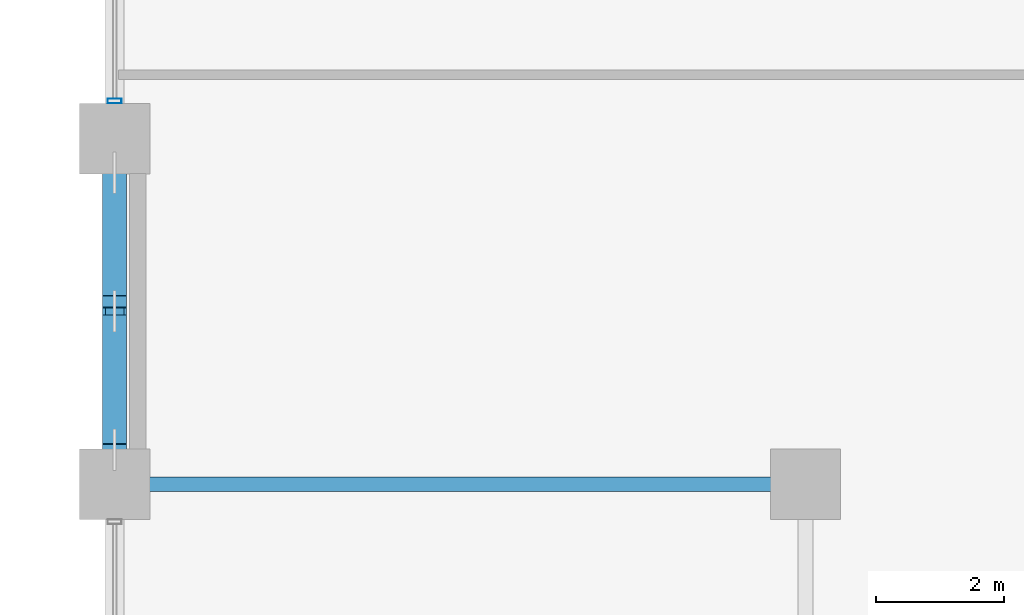
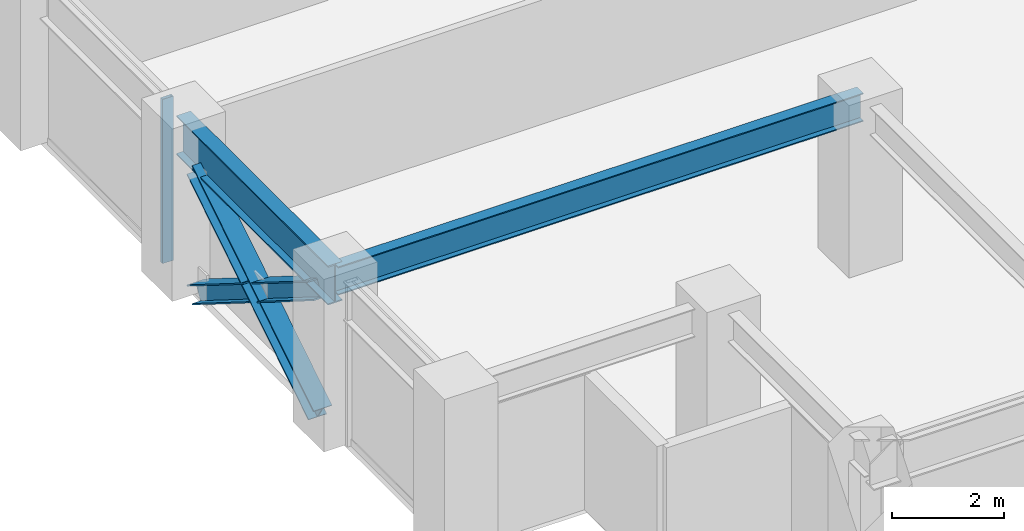
# One storey, part 3 of 25: 4 members, 2 beams, 1 element without a shape of its own.
"""IFC4 building model written with IfcOpenShell, lengths in metres."""

from ifc_helpers import new_model, si_unit, direction, frame, origin, origin_2d, place, context, subcontext, project, spatial, hollow_rectangle, i_section, extrude, material, layer, layer_set, material_profile, profile_set, type_object, element, aggregate, save


model = new_model("IFC4")

# Units and contexts
model_context = context("Model", 3, precision=1e-05, world=origin(), true_north=direction((0.0, 1.0)))
body_context = subcontext(model_context, "Body", "Model", "MODEL_VIEW")
ifc_project = project(units=[si_unit("LENGTHUNIT", "METRE"), si_unit("AREAUNIT", "SQUARE_METRE"), si_unit("VOLUMEUNIT", "CUBIC_METRE"), si_unit("PLANEANGLEUNIT", "RADIAN"), si_unit("MASSUNIT", "GRAM", prefix="KILO")], contexts=[model_context])

# Site, building, storey
site_placement = place(None, origin())
site = spatial("IfcSite", under=ifc_project, at=site_placement, CompositionType="ELEMENT")
building_placement = place(site_placement, origin())
building = spatial("IfcBuilding", under=site, at=building_placement, Name="Surkhivell Harbour Commons", CompositionType="ELEMENT")
storey_placement = place(building_placement, frame((0.0, 0.0, 98.25)))
storey = spatial("IfcBuildingStorey", under=building, at=storey_placement, Name="L25", CompositionType="ELEMENT", Elevation=98.25)

# Beams
ifc_material_1 = material(Name="Steel S355", Category="steel")
ifc_material_profile_1 = material_profile(ifc_material_1, i_section(OverallWidth=0.22998046875, OverallDepth=0.616943359375, WebThickness=0.01318359375, FlangeThickness=0.022216796875, at=origin_2d()), Name="UB610x229x140")
ifc_profile_set_1 = profile_set([ifc_material_profile_1], Name="Steel S355")
beam_type_1 = type_object("IfcBeamType", Name="BM-GRD-610B", PredefinedType="BEAM", material=ifc_profile_set_1)
beam_1_placement = place(storey_placement, frame((-32.39990234375, -16.199951171875, 3.261474609375), z_axis=(1.0, 0.0, 0.0), x_axis=(0.0, 1.0, 0.0)))
element("IfcBeam", 1, at=beam_1_placement, inside=storey, type_object=beam_type_1, Name="L25 Floor Girder (-32.4,-16.2)", PredefinedType="BEAM", context=body_context, shape_type="SweptSolid", body=[
    extrude(i_section(OverallWidth=0.22998046875, OverallDepth=0.616943359375, WebThickness=0.01318359375, FlangeThickness=0.022216796875, at=origin_2d()), origin(), (0.0, 0.0, 1.0), 10.7998046875),
])
ifc_material_2 = material(Name="Steel S460", Category="steel")
ifc_material_profile_2 = material_profile(ifc_material_2, i_section(OverallWidth=0.2939453125, OverallDepth=0.85107421875, WebThickness=0.01611328125, FlangeThickness=0.02685546875, at=origin_2d()), Name="UB838x292x226")
ifc_profile_set_2 = profile_set([ifc_material_profile_2], Name="Steel S460")
beam_type_2 = type_object("IfcBeamType", Name="BM-SPN-838", PredefinedType="SPANDREL", material=ifc_profile_set_2)
beam_2_placement = place(storey_placement, frame((-32.39990234375, -16.199951171875, 3.14453125), z_axis=(0.0, 1.0, 0.0), x_axis=(-1.0, 0.0, 0.0)))
element("IfcBeam", 2, at=beam_2_placement, inside=storey, type_object=beam_type_2, Name="L25 Tube Spandrel (-32.4,-16.2)", PredefinedType="SPANDREL", context=body_context, shape_type="SweptSolid", body=[
    extrude(i_section(OverallWidth=0.2939453125, OverallDepth=0.85107421875, WebThickness=0.01611328125, FlangeThickness=0.02685546875, at=origin_2d()), origin(), (0.0, 0.0, 1.0), 5.39990234375),
])

# Curtain wall, member
ifc_material_3 = material(Name="Anodised pale-metal aluminium and insulated glazing", Category="aluminium")
ifc_layer = layer(ifc_material_3, 0.205078125)
ifc_layer_set = layer_set([ifc_layer], Name="Anodised pale-metal aluminium and insulated glazing")
curtain_wall_type = type_object("IfcCurtainWallType", Name="CW-SYS-Z2", PredefinedType="NOTDEFINED", material=ifc_layer_set)
curtain_wall_placement = place(storey_placement, origin())
curtain_wall = element("IfcCurtainWall", 3, at=curtain_wall_placement, inside=storey, type_object=curtain_wall_type, Name="L25 Curtain Wall CW-L25-E12R1S2", PredefinedType="NOTDEFINED")
ifc_material_4 = material(Name="Anodised pale-metal aluminium alloy 6063-T6", Category="aluminium")
ifc_material_profile_3 = material_profile(ifc_material_4, hollow_rectangle(XDim=0.074951171875, YDim=0.219970703125, WallThickness=0.00390625, at=origin_2d()), Name="ALU-MULL-75x220")
ifc_profile_set_3 = profile_set([ifc_material_profile_3], Name="Anodised pale-metal aluminium alloy 6063-T6")
member_type_1 = type_object("IfcMemberType", Name="CWM-220", PredefinedType="MULLION", material=ifc_profile_set_3)
member_1_placement = place(storey_placement, frame((-32.39990234375, -10.21044921875, 0.0), z_axis=(0.0, 0.0, 1.0), x_axis=(0.0, 1.0, 0.0)))
member_1 = element("IfcMember", 4, at=member_1_placement, type_object=member_type_1, Name="CW-Z2 mullion 1", PredefinedType="MULLION", context=body_context, shape_type="SweptSolid", body=[
    extrude(hollow_rectangle(XDim=0.074951171875, YDim=0.219970703125, WallThickness=0.00390625, at=origin_2d()), origin(), (0.0, 0.0, 1.0), 3.570068359375),
])
aggregate(curtain_wall, [member_1])

# Members
ifc_material_profile_4 = material_profile(ifc_material_2, i_section(OverallWidth=0.375, OverallDepth=0.375, WebThickness=0.0166015625, FlangeThickness=0.027099609375, at=origin_2d()), Name="UC356x368x202")
ifc_profile_set_4 = profile_set([ifc_material_profile_4], Name="Steel S460")
member_type_2 = type_object("IfcMemberType", Name="MEM-BRC-UC356", PredefinedType="BRACE", material=ifc_profile_set_4)
member_2_placement = place(storey_placement, frame((-32.39990234375, -15.6650390625, 0.008056640625), z_axis=(0.0, 0.847246015888, 0.531200704594), x_axis=(-1.0, 0.0, 0.0)))
element("IfcMember", 5, at=member_2_placement, inside=storey, type_object=member_type_2, Name="L25 Perimeter Mega-Brace MB- 10", PredefinedType="BRACE", context=body_context, shape_type="SweptSolid", body=[
    extrude(i_section(OverallWidth=0.375, OverallDepth=0.375, WebThickness=0.0166015625, FlangeThickness=0.027099609375, at=origin_2d()), origin(), (0.0, 0.0, 1.0), 5.11083984375),
])
member_3_placement = place(storey_placement, frame((-32.39990234375, -11.3349609375, 0.008056640625), z_axis=(0.0, -0.847206308526, 0.53126403115), x_axis=(1.0, 0.0, 0.0)))
element("IfcMember", 6, at=member_3_placement, inside=storey, type_object=member_type_2, Name="L25 Perimeter Mega-Brace MB- 11", PredefinedType="BRACE", context=body_context, shape_type="SweptSolid", body=[
    extrude(i_section(OverallWidth=0.375, OverallDepth=0.375, WebThickness=0.0166015625, FlangeThickness=0.027099609375, at=origin_2d()), origin(), (0.0, 0.0, 1.0), 2.37548828125),
])
member_4_placement = place(storey_placement, frame((-32.39990234375, -13.652587890625, 1.461181640625), z_axis=(0.0, -0.84725256761, 0.53119025469), x_axis=(1.0, 0.0, 0.0)))
element("IfcMember", 7, at=member_4_placement, inside=storey, type_object=member_type_2, Name="L25 Perimeter Mega-Brace MB- 12", PredefinedType="BRACE", context=body_context, shape_type="SweptSolid", body=[
    extrude(i_section(OverallWidth=0.375, OverallDepth=0.375, WebThickness=0.0166015625, FlangeThickness=0.027099609375, at=origin_2d()), origin(), (0.0, 0.0, 1.0), 2.375244140625),
])

save(model, "model.ifc")
